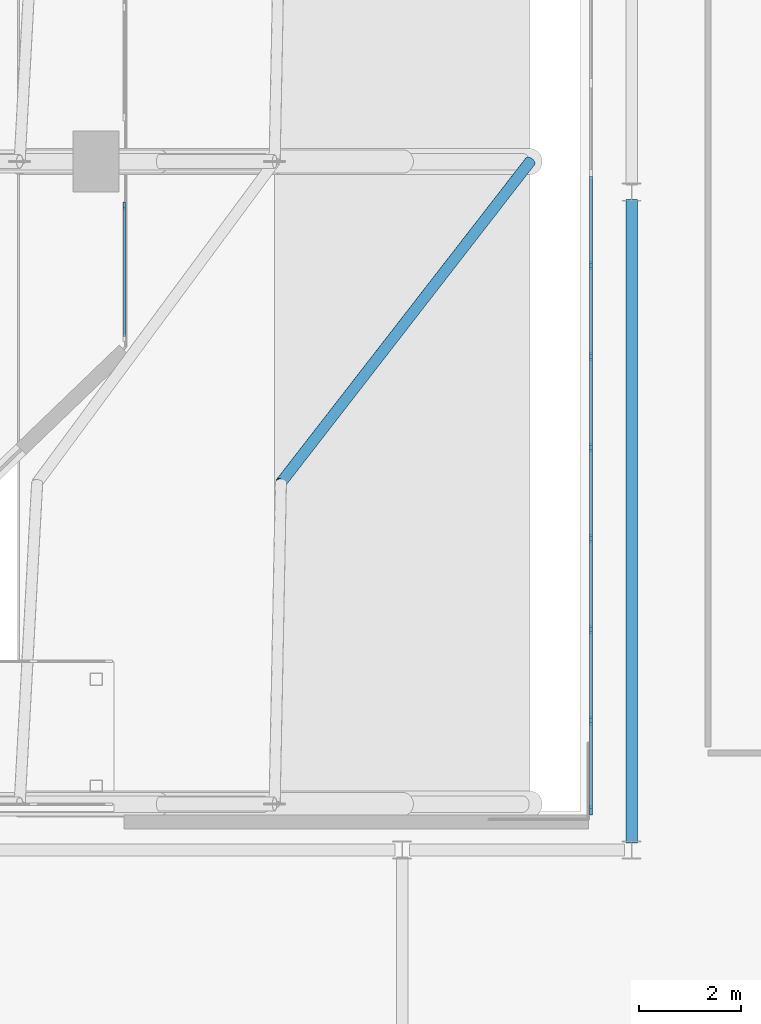
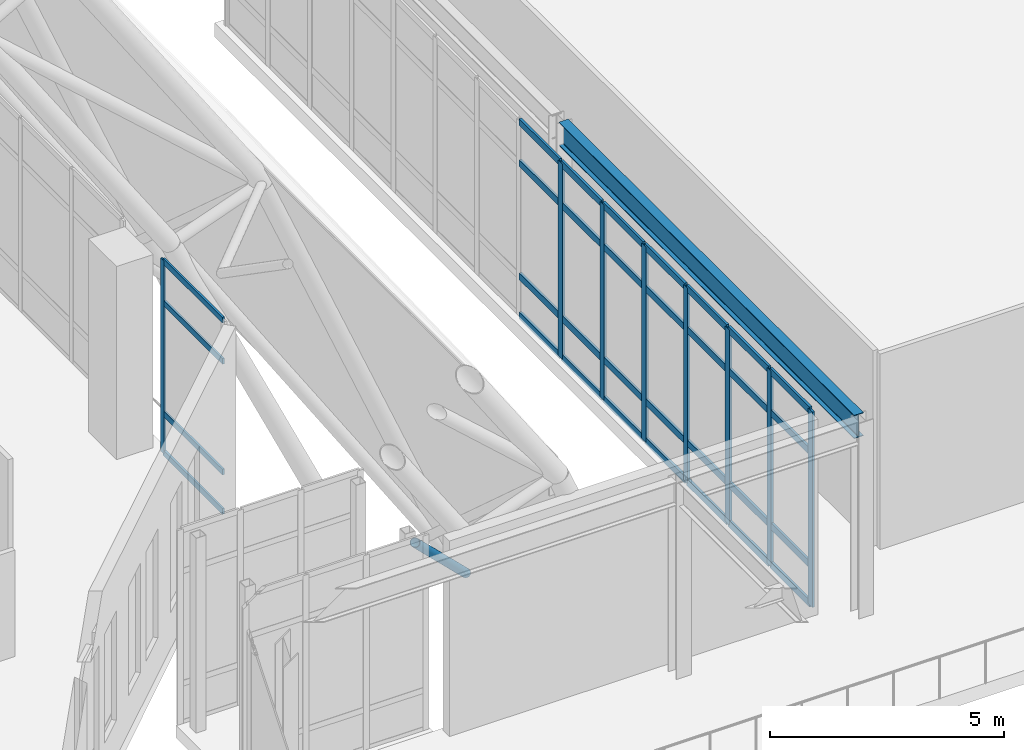
# One storey, part 38 of 159: 41 members, 1 beam, 2 elements without a shape of their own.
"""IFC4 building model written with IfcOpenShell, lengths in metres."""

from ifc_helpers import new_model, si_unit, derived_unit, direction, frame, origin, origin_2d, place, context, subcontext, project, spatial, rectangle, hollow_circle, i_section, extrude, material, layer, layer_set, material_profile, profile_set, type_object, element, aggregate, save


model = new_model("IFC4")

# Units and contexts
model_context = context("Model", 3, precision=1e-05, world=origin(), true_north=direction((0.0, 1.0)))
body_context = subcontext(model_context, "Body", "Model", "MODEL_VIEW")
ifc_project = project(units=[si_unit("LENGTHUNIT", "METRE"), si_unit("AREAUNIT", "SQUARE_METRE"), si_unit("VOLUMEUNIT", "CUBIC_METRE"), si_unit("PLANEANGLEUNIT", "RADIAN"), si_unit("MASSUNIT", "GRAM", prefix="KILO"), derived_unit("THERMALTRANSMITTANCEUNIT", [(si_unit("MASSUNIT", "GRAM", prefix="KILO"), 1), (si_unit("TIMEUNIT", "SECOND"), -3), (si_unit("THERMODYNAMICTEMPERATUREUNIT", "KELVIN"), -1)])], contexts=[model_context])

# Site, building, storey
site_placement = place(None, origin())
site = spatial("IfcSite", under=ifc_project, at=site_placement, CompositionType="ELEMENT")
building_placement = place(site_placement, origin())
building = spatial("IfcBuilding", under=site, at=building_placement, Name="Valcora Ridge Arena", CompositionType="ELEMENT")
storey_placement = place(building_placement, frame((0.0, 0.0, 6.0)))
storey = spatial("IfcBuildingStorey", under=building, at=storey_placement, Name="L01", CompositionType="ELEMENT", Elevation=6.0)

# Beam
ifc_material_1 = material(Name="Steel ASTM A572 Grade 50", Category="steel")
ifc_material_profile_1 = material_profile(ifc_material_1, i_section(OverallWidth=0.22900390625, OverallDepth=0.612060546875, WebThickness=0.011962890625, FlangeThickness=0.01953125, FilletRadius=0.01806640625, at=origin_2d()), Name="W24X84")
ifc_profile_set_1 = profile_set([ifc_material_profile_1], Name="Steel ASTM A572 Grade 50")
beam_type = type_object("IfcBeamType", Name="TY-BEAM-G-W24X84-Y", PredefinedType="BEAM", material=ifc_profile_set_1)
beam_placement = place(storey_placement, frame((113.0, 19.239990234375, 4.7939453125), z_axis=(0.0, 1.0, 0.0), x_axis=(-1.0, 0.0, 0.0)))
element("IfcBeam", 1, at=beam_placement, inside=storey, type_object=beam_type, Name="G-W24X84-Y BEM-G-W24X84-Y-0013", PredefinedType="BEAM", context=body_context, shape_type="SweptSolid", body=[
    extrude(i_section(OverallWidth=0.22900390625, OverallDepth=0.612060546875, WebThickness=0.011962890625, FlangeThickness=0.01953125, FilletRadius=0.01806640625, at=origin_2d()), origin(), (0.0, 0.0, 1.0), 12.6201171875),
])

# Curtain wall, member
ifc_material_2 = material(Name="Anodised dark bronze architectural aluminium 6063-T6", Category="aluminium")
ifc_layer_1 = layer(ifc_material_2, 0.14990234375, Name="Anodised dark bronze architectural aluminium 6063-T6")
ifc_layer_set_1 = layer_set([ifc_layer_1], Name="Anodised dark bronze architectural aluminium 6063-T6")
curtain_wall_type_1 = type_object("IfcCurtainWallType", Name="TY-CURTAINWALL-CW-V1-EAST-026X50", PredefinedType="NOTDEFINED", material=ifc_layer_set_1)
curtain_wall_1_placement = place(storey_placement, origin())
curtain_wall_1 = element("IfcCurtainWall", 2, at=curtain_wall_1_placement, inside=storey, type_object=curtain_wall_type_1, Name="CW-V1-EAST-026X50 CW-0106", PredefinedType="NOTDEFINED")
ifc_material_profile_2 = material_profile(ifc_material_2, rectangle(XDim=0.050048828125, YDim=0.14990234375, at=origin_2d()), Name="ALU MULLION 50x150")
ifc_profile_set_2 = profile_set([ifc_material_profile_2], Name="Anodised dark bronze architectural aluminium 6063-T6")
member_type_1 = type_object("IfcMemberType", Name="TY-MEM-CWM-50x150", PredefinedType="MULLION", material=ifc_profile_set_2)
member_1_placement = place(storey_placement, frame((103.050048828125, 31.735107421875, 0.0), z_axis=(0.0, 0.0, 1.0), x_axis=(-1.0, 0.0, 0.0)))
member_1 = element("IfcMember", 3, at=member_1_placement, type_object=member_type_1, Name="CW-0106/CWM-50x150/M01", PredefinedType="MULLION", context=body_context, shape_type="SweptSolid", body=[
    extrude(rectangle(XDim=0.050048828125, YDim=0.14990234375, at=origin_2d()), origin(), (0.0, 0.0, 1.0), 5.0400390625),
])

# Curtain wall, members
ifc_layer_2 = layer(ifc_material_2, 0.179931640625, Name="Anodised dark bronze architectural aluminium 6063-T6")
ifc_layer_set_2 = layer_set([ifc_layer_2], Name="Anodised dark bronze architectural aluminium 6063-T6")
curtain_wall_type_2 = type_object("IfcCurtainWallType", Name="TY-CURTAINWALL-CW-V3-LANCET-250X51", PredefinedType="NOTDEFINED", material=ifc_layer_set_2)
curtain_wall_2_placement = place(storey_placement, origin())
curtain_wall_2 = element("IfcCurtainWall", 4, at=curtain_wall_2_placement, inside=storey, type_object=curtain_wall_type_2, Name="CW-V3-LANCET-250X51 CW-0018", PredefinedType="NOTDEFINED")
ifc_material_profile_3 = material_profile(ifc_material_2, rectangle(XDim=0.06005859375, YDim=0.179931640625, at=origin_2d()), Name="ALU MULLION 60x180")
ifc_profile_set_3 = profile_set([ifc_material_profile_3], Name="Anodised dark bronze architectural aluminium 6063-T6")
member_type_2 = type_object("IfcMemberType", Name="TY-MEM-CWM-60x180", PredefinedType="MULLION", material=ifc_profile_set_3)
member_2_placement = place(storey_placement, frame((112.199951171875, 19.8798828125, 0.0), z_axis=(0.0, 0.0, 1.0), x_axis=(-1.0, 0.0, 0.0)))
member_2 = element("IfcMember", 5, at=member_2_placement, type_object=member_type_2, Name="CW-0018/CWM-60x180/M00", PredefinedType="MULLION", context=body_context, shape_type="SweptSolid", body=[
    extrude(rectangle(XDim=0.06005859375, YDim=0.179931640625, at=origin_2d()), origin(), (0.0, 0.0, 1.0), 5.10009765625),
])
member_3_placement = place(storey_placement, frame((112.199951171875, 21.6357421875, 0.0), z_axis=(0.0, 0.0, 1.0), x_axis=(-1.0, 0.0, 0.0)))
member_3 = element("IfcMember", 6, at=member_3_placement, type_object=member_type_2, Name="CW-0018/CWM-60x180/M01", PredefinedType="MULLION", context=body_context, shape_type="SweptSolid", body=[
    extrude(rectangle(XDim=0.06005859375, YDim=0.179931640625, at=origin_2d()), origin(), (0.0, 0.0, 1.0), 5.10009765625),
])
member_4_placement = place(storey_placement, frame((112.199951171875, 23.42138671875, 0.0), z_axis=(0.0, 0.0, 1.0), x_axis=(-1.0, 0.0, 0.0)))
member_4 = element("IfcMember", 7, at=member_4_placement, type_object=member_type_2, Name="CW-0018/CWM-60x180/M02", PredefinedType="MULLION", context=body_context, shape_type="SweptSolid", body=[
    extrude(rectangle(XDim=0.06005859375, YDim=0.179931640625, at=origin_2d()), origin(), (0.0, 0.0, 1.0), 5.10009765625),
])
member_5_placement = place(storey_placement, frame((112.199951171875, 25.20703125, 0.0), z_axis=(0.0, 0.0, 1.0), x_axis=(-1.0, 0.0, 0.0)))
member_5 = element("IfcMember", 8, at=member_5_placement, type_object=member_type_2, Name="CW-0018/CWM-60x180/M03", PredefinedType="MULLION", context=body_context, shape_type="SweptSolid", body=[
    extrude(rectangle(XDim=0.06005859375, YDim=0.179931640625, at=origin_2d()), origin(), (0.0, 0.0, 1.0), 5.10009765625),
])
member_6_placement = place(storey_placement, frame((112.199951171875, 26.992919921875, 0.0), z_axis=(0.0, 0.0, 1.0), x_axis=(-1.0, 0.0, 0.0)))
member_6 = element("IfcMember", 9, at=member_6_placement, type_object=member_type_2, Name="CW-0018/CWM-60x180/M04", PredefinedType="MULLION", context=body_context, shape_type="SweptSolid", body=[
    extrude(rectangle(XDim=0.06005859375, YDim=0.179931640625, at=origin_2d()), origin(), (0.0, 0.0, 1.0), 5.10009765625),
])
member_7_placement = place(storey_placement, frame((112.199951171875, 28.778564453125, 0.0), z_axis=(0.0, 0.0, 1.0), x_axis=(-1.0, 0.0, 0.0)))
member_7 = element("IfcMember", 10, at=member_7_placement, type_object=member_type_2, Name="CW-0018/CWM-60x180/M05", PredefinedType="MULLION", context=body_context, shape_type="SweptSolid", body=[
    extrude(rectangle(XDim=0.06005859375, YDim=0.179931640625, at=origin_2d()), origin(), (0.0, 0.0, 1.0), 5.10009765625),
])
member_8_placement = place(storey_placement, frame((112.199951171875, 30.564208984375, 0.0), z_axis=(0.0, 0.0, 1.0), x_axis=(-1.0, 0.0, 0.0)))
member_8 = element("IfcMember", 11, at=member_8_placement, type_object=member_type_2, Name="CW-0018/CWM-60x180/M06", PredefinedType="MULLION", context=body_context, shape_type="SweptSolid", body=[
    extrude(rectangle(XDim=0.06005859375, YDim=0.179931640625, at=origin_2d()), origin(), (0.0, 0.0, 1.0), 5.10009765625),
])

# Member
ifc_material_profile_4 = material_profile(ifc_material_2, rectangle(XDim=0.050048828125, YDim=0.14990234375, at=origin_2d()), Name="ALU TRANSOM 50x150")
ifc_profile_set_4 = profile_set([ifc_material_profile_4], Name="Anodised dark bronze architectural aluminium 6063-T6")
member_type_3 = type_object("IfcMemberType", Name="TY-MEM-CWT-50x150", PredefinedType="USERDEFINED", material=ifc_profile_set_4)
member_9_placement = place(storey_placement, frame((103.050048828125, 29.1669921875, 0.02490234375), z_axis=(0.0, 1.0, 0.0), x_axis=(-1.0, 0.0, 0.0)))
member_9 = element("IfcMember", 12, at=member_9_placement, type_object=member_type_3, Name="CW-0106/CWT-50x150/T00-00", ObjectType="TRANSOM", PredefinedType="USERDEFINED", context=body_context, shape_type="SweptSolid", body=[
    extrude(rectangle(XDim=0.050048828125, YDim=0.14990234375, at=origin_2d()), origin(), (0.0, 0.0, 1.0), 2.54296875),
])

member_10_placement = place(storey_placement, frame((103.050048828125, 29.1669921875, 1.050048828125), z_axis=(0.0, 1.0, 0.0), x_axis=(-1.0, 0.0, 0.0)))
member_10 = element("IfcMember", 13, at=member_10_placement, type_object=member_type_3, Name="CW-0106/CWT-50x150/T00-01", ObjectType="TRANSOM", PredefinedType="USERDEFINED", context=body_context, shape_type="SweptSolid", body=[
    extrude(rectangle(XDim=0.050048828125, YDim=0.14990234375, at=origin_2d()), origin(), (0.0, 0.0, 1.0), 2.54296875),
])

member_11_placement = place(storey_placement, frame((103.050048828125, 29.1669921875, 3.93994140625), z_axis=(0.0, 1.0, 0.0), x_axis=(-1.0, 0.0, 0.0)))
member_11 = element("IfcMember", 14, at=member_11_placement, type_object=member_type_3, Name="CW-0106/CWT-50x150/T00-02", ObjectType="TRANSOM", PredefinedType="USERDEFINED", context=body_context, shape_type="SweptSolid", body=[
    extrude(rectangle(XDim=0.050048828125, YDim=0.14990234375, at=origin_2d()), origin(), (0.0, 0.0, 1.0), 2.54296875),
])

member_12_placement = place(storey_placement, frame((103.050048828125, 29.1669921875, 5.014892578125), z_axis=(0.0, 1.0, 0.0), x_axis=(-1.0, 0.0, 0.0)))
member_12 = element("IfcMember", 15, at=member_12_placement, type_object=member_type_3, Name="CW-0106/CWT-50x150/T00-03", ObjectType="TRANSOM", PredefinedType="USERDEFINED", context=body_context, shape_type="SweptSolid", body=[
    extrude(rectangle(XDim=0.050048828125, YDim=0.14990234375, at=origin_2d()), origin(), (0.0, 0.0, 1.0), 2.54296875),
])

aggregate(curtain_wall_1, [member_1, member_9, member_10, member_11, member_12])

ifc_material_profile_5 = material_profile(ifc_material_2, rectangle(XDim=0.06005859375, YDim=0.179931640625, at=origin_2d()), Name="ALU TRANSOM 60x180")
ifc_profile_set_5 = profile_set([ifc_material_profile_5], Name="Anodised dark bronze architectural aluminium 6063-T6")
member_type_4 = type_object("IfcMemberType", Name="TY-MEM-CWT-60x180", PredefinedType="USERDEFINED", material=ifc_profile_set_5)
member_13_placement = place(storey_placement, frame((112.199951171875, 19.909912109375, 0.030029296875), z_axis=(0.0, 1.0, 0.0), x_axis=(-1.0, 0.0, 0.0)))
member_13 = element("IfcMember", 16, at=member_13_placement, type_object=member_type_4, Name="CW-0018/CWT-60x180/T00-00", ObjectType="TRANSOM", PredefinedType="USERDEFINED", context=body_context, shape_type="SweptSolid", body=[
    extrude(rectangle(XDim=0.06005859375, YDim=0.179931640625, at=origin_2d()), origin(), (0.0, 0.0, 1.0), 1.696044921875),
])

member_14_placement = place(storey_placement, frame((112.199951171875, 19.909912109375, 1.050048828125), z_axis=(0.0, 1.0, 0.0), x_axis=(-1.0, 0.0, 0.0)))
member_14 = element("IfcMember", 17, at=member_14_placement, type_object=member_type_4, Name="CW-0018/CWT-60x180/T00-01", ObjectType="TRANSOM", PredefinedType="USERDEFINED", context=body_context, shape_type="SweptSolid", body=[
    extrude(rectangle(XDim=0.06005859375, YDim=0.179931640625, at=origin_2d()), origin(), (0.0, 0.0, 1.0), 1.696044921875),
])

member_15_placement = place(storey_placement, frame((112.199951171875, 19.909912109375, 4.0), z_axis=(0.0, 1.0, 0.0), x_axis=(-1.0, 0.0, 0.0)))
member_15 = element("IfcMember", 18, at=member_15_placement, type_object=member_type_4, Name="CW-0018/CWT-60x180/T00-02", ObjectType="TRANSOM", PredefinedType="USERDEFINED", context=body_context, shape_type="SweptSolid", body=[
    extrude(rectangle(XDim=0.06005859375, YDim=0.179931640625, at=origin_2d()), origin(), (0.0, 0.0, 1.0), 1.696044921875),
])

member_16_placement = place(storey_placement, frame((112.199951171875, 19.909912109375, 5.070068359375), z_axis=(0.0, 1.0, 0.0), x_axis=(-1.0, 0.0, 0.0)))
member_16 = element("IfcMember", 19, at=member_16_placement, type_object=member_type_4, Name="CW-0018/CWT-60x180/T00-03", ObjectType="TRANSOM", PredefinedType="USERDEFINED", context=body_context, shape_type="SweptSolid", body=[
    extrude(rectangle(XDim=0.06005859375, YDim=0.179931640625, at=origin_2d()), origin(), (0.0, 0.0, 1.0), 1.696044921875),
])

member_17_placement = place(storey_placement, frame((112.199951171875, 21.666015625, 0.030029296875), z_axis=(0.0, 1.0, 0.0), x_axis=(-1.0, 0.0, 0.0)))
member_17 = element("IfcMember", 20, at=member_17_placement, type_object=member_type_4, Name="CW-0018/CWT-60x180/T01-00", ObjectType="TRANSOM", PredefinedType="USERDEFINED", context=body_context, shape_type="SweptSolid", body=[
    extrude(rectangle(XDim=0.06005859375, YDim=0.179931640625, at=origin_2d()), origin(), (0.0, 0.0, 1.0), 1.72509765625),
])

member_18_placement = place(storey_placement, frame((112.199951171875, 21.666015625, 1.050048828125), z_axis=(0.0, 1.0, 0.0), x_axis=(-1.0, 0.0, 0.0)))
member_18 = element("IfcMember", 21, at=member_18_placement, type_object=member_type_4, Name="CW-0018/CWT-60x180/T01-01", ObjectType="TRANSOM", PredefinedType="USERDEFINED", context=body_context, shape_type="SweptSolid", body=[
    extrude(rectangle(XDim=0.06005859375, YDim=0.179931640625, at=origin_2d()), origin(), (0.0, 0.0, 1.0), 1.72509765625),
])

member_19_placement = place(storey_placement, frame((112.199951171875, 21.666015625, 4.0), z_axis=(0.0, 1.0, 0.0), x_axis=(-1.0, 0.0, 0.0)))
member_19 = element("IfcMember", 22, at=member_19_placement, type_object=member_type_4, Name="CW-0018/CWT-60x180/T01-02", ObjectType="TRANSOM", PredefinedType="USERDEFINED", context=body_context, shape_type="SweptSolid", body=[
    extrude(rectangle(XDim=0.06005859375, YDim=0.179931640625, at=origin_2d()), origin(), (0.0, 0.0, 1.0), 1.72509765625),
])

member_20_placement = place(storey_placement, frame((112.199951171875, 21.666015625, 5.070068359375), z_axis=(0.0, 1.0, 0.0), x_axis=(-1.0, 0.0, 0.0)))
member_20 = element("IfcMember", 23, at=member_20_placement, type_object=member_type_4, Name="CW-0018/CWT-60x180/T01-03", ObjectType="TRANSOM", PredefinedType="USERDEFINED", context=body_context, shape_type="SweptSolid", body=[
    extrude(rectangle(XDim=0.06005859375, YDim=0.179931640625, at=origin_2d()), origin(), (0.0, 0.0, 1.0), 1.72509765625),
])

member_21_placement = place(storey_placement, frame((112.199951171875, 23.450927734375, 0.030029296875), z_axis=(0.0, 1.0, 0.0), x_axis=(-1.0, 0.0, 0.0)))
member_21 = element("IfcMember", 24, at=member_21_placement, type_object=member_type_4, Name="CW-0018/CWT-60x180/T02-00", ObjectType="TRANSOM", PredefinedType="USERDEFINED", context=body_context, shape_type="SweptSolid", body=[
    extrude(rectangle(XDim=0.06005859375, YDim=0.179931640625, at=origin_2d()), origin(), (0.0, 0.0, 1.0), 1.72607421875),
])

member_22_placement = place(storey_placement, frame((112.199951171875, 23.450927734375, 1.050048828125), z_axis=(0.0, 1.0, 0.0), x_axis=(-1.0, 0.0, 0.0)))
member_22 = element("IfcMember", 25, at=member_22_placement, type_object=member_type_4, Name="CW-0018/CWT-60x180/T02-01", ObjectType="TRANSOM", PredefinedType="USERDEFINED", context=body_context, shape_type="SweptSolid", body=[
    extrude(rectangle(XDim=0.06005859375, YDim=0.179931640625, at=origin_2d()), origin(), (0.0, 0.0, 1.0), 1.72607421875),
])

member_23_placement = place(storey_placement, frame((112.199951171875, 23.450927734375, 4.0), z_axis=(0.0, 1.0, 0.0), x_axis=(-1.0, 0.0, 0.0)))
member_23 = element("IfcMember", 26, at=member_23_placement, type_object=member_type_4, Name="CW-0018/CWT-60x180/T02-02", ObjectType="TRANSOM", PredefinedType="USERDEFINED", context=body_context, shape_type="SweptSolid", body=[
    extrude(rectangle(XDim=0.06005859375, YDim=0.179931640625, at=origin_2d()), origin(), (0.0, 0.0, 1.0), 1.72607421875),
])

member_24_placement = place(storey_placement, frame((112.199951171875, 23.450927734375, 5.070068359375), z_axis=(0.0, 1.0, 0.0), x_axis=(-1.0, 0.0, 0.0)))
member_24 = element("IfcMember", 27, at=member_24_placement, type_object=member_type_4, Name="CW-0018/CWT-60x180/T02-03", ObjectType="TRANSOM", PredefinedType="USERDEFINED", context=body_context, shape_type="SweptSolid", body=[
    extrude(rectangle(XDim=0.06005859375, YDim=0.179931640625, at=origin_2d()), origin(), (0.0, 0.0, 1.0), 1.72607421875),
])

member_25_placement = place(storey_placement, frame((112.199951171875, 25.237060546875, 0.030029296875), z_axis=(0.0, 1.0, 0.0), x_axis=(-1.0, 0.0, 0.0)))
member_25 = element("IfcMember", 28, at=member_25_placement, type_object=member_type_4, Name="CW-0018/CWT-60x180/T03-00", ObjectType="TRANSOM", PredefinedType="USERDEFINED", context=body_context, shape_type="SweptSolid", body=[
    extrude(rectangle(XDim=0.06005859375, YDim=0.179931640625, at=origin_2d()), origin(), (0.0, 0.0, 1.0), 1.725830078125),
])

member_26_placement = place(storey_placement, frame((112.199951171875, 25.237060546875, 1.050048828125), z_axis=(0.0, 1.0, 0.0), x_axis=(-1.0, 0.0, 0.0)))
member_26 = element("IfcMember", 29, at=member_26_placement, type_object=member_type_4, Name="CW-0018/CWT-60x180/T03-01", ObjectType="TRANSOM", PredefinedType="USERDEFINED", context=body_context, shape_type="SweptSolid", body=[
    extrude(rectangle(XDim=0.06005859375, YDim=0.179931640625, at=origin_2d()), origin(), (0.0, 0.0, 1.0), 1.725830078125),
])

member_27_placement = place(storey_placement, frame((112.199951171875, 25.237060546875, 4.0), z_axis=(0.0, 1.0, 0.0), x_axis=(-1.0, 0.0, 0.0)))
member_27 = element("IfcMember", 30, at=member_27_placement, type_object=member_type_4, Name="CW-0018/CWT-60x180/T03-02", ObjectType="TRANSOM", PredefinedType="USERDEFINED", context=body_context, shape_type="SweptSolid", body=[
    extrude(rectangle(XDim=0.06005859375, YDim=0.179931640625, at=origin_2d()), origin(), (0.0, 0.0, 1.0), 1.725830078125),
])

member_28_placement = place(storey_placement, frame((112.199951171875, 25.237060546875, 5.070068359375), z_axis=(0.0, 1.0, 0.0), x_axis=(-1.0, 0.0, 0.0)))
member_28 = element("IfcMember", 31, at=member_28_placement, type_object=member_type_4, Name="CW-0018/CWT-60x180/T03-03", ObjectType="TRANSOM", PredefinedType="USERDEFINED", context=body_context, shape_type="SweptSolid", body=[
    extrude(rectangle(XDim=0.06005859375, YDim=0.179931640625, at=origin_2d()), origin(), (0.0, 0.0, 1.0), 1.725830078125),
])

member_29_placement = place(storey_placement, frame((112.199951171875, 27.02294921875, 0.030029296875), z_axis=(0.0, 1.0, 0.0), x_axis=(-1.0, 0.0, 0.0)))
member_29 = element("IfcMember", 32, at=member_29_placement, type_object=member_type_4, Name="CW-0018/CWT-60x180/T04-00", ObjectType="TRANSOM", PredefinedType="USERDEFINED", context=body_context, shape_type="SweptSolid", body=[
    extrude(rectangle(XDim=0.06005859375, YDim=0.179931640625, at=origin_2d()), origin(), (0.0, 0.0, 1.0), 1.72607421875),
])

member_30_placement = place(storey_placement, frame((112.199951171875, 27.02294921875, 1.050048828125), z_axis=(0.0, 1.0, 0.0), x_axis=(-1.0, 0.0, 0.0)))
member_30 = element("IfcMember", 33, at=member_30_placement, type_object=member_type_4, Name="CW-0018/CWT-60x180/T04-01", ObjectType="TRANSOM", PredefinedType="USERDEFINED", context=body_context, shape_type="SweptSolid", body=[
    extrude(rectangle(XDim=0.06005859375, YDim=0.179931640625, at=origin_2d()), origin(), (0.0, 0.0, 1.0), 1.72607421875),
])

member_31_placement = place(storey_placement, frame((112.199951171875, 27.02294921875, 4.0), z_axis=(0.0, 1.0, 0.0), x_axis=(-1.0, 0.0, 0.0)))
member_31 = element("IfcMember", 34, at=member_31_placement, type_object=member_type_4, Name="CW-0018/CWT-60x180/T04-02", ObjectType="TRANSOM", PredefinedType="USERDEFINED", context=body_context, shape_type="SweptSolid", body=[
    extrude(rectangle(XDim=0.06005859375, YDim=0.179931640625, at=origin_2d()), origin(), (0.0, 0.0, 1.0), 1.72607421875),
])

member_32_placement = place(storey_placement, frame((112.199951171875, 27.02294921875, 5.070068359375), z_axis=(0.0, 1.0, 0.0), x_axis=(-1.0, 0.0, 0.0)))
member_32 = element("IfcMember", 35, at=member_32_placement, type_object=member_type_4, Name="CW-0018/CWT-60x180/T04-03", ObjectType="TRANSOM", PredefinedType="USERDEFINED", context=body_context, shape_type="SweptSolid", body=[
    extrude(rectangle(XDim=0.06005859375, YDim=0.179931640625, at=origin_2d()), origin(), (0.0, 0.0, 1.0), 1.72607421875),
])

member_33_placement = place(storey_placement, frame((112.199951171875, 28.80908203125, 0.030029296875), z_axis=(0.0, 1.0, 0.0), x_axis=(-1.0, 0.0, 0.0)))
member_33 = element("IfcMember", 36, at=member_33_placement, type_object=member_type_4, Name="CW-0018/CWT-60x180/T05-00", ObjectType="TRANSOM", PredefinedType="USERDEFINED", context=body_context, shape_type="SweptSolid", body=[
    extrude(rectangle(XDim=0.06005859375, YDim=0.179931640625, at=origin_2d()), origin(), (0.0, 0.0, 1.0), 1.724853515625),
])

member_34_placement = place(storey_placement, frame((112.199951171875, 28.80908203125, 1.050048828125), z_axis=(0.0, 1.0, 0.0), x_axis=(-1.0, 0.0, 0.0)))
member_34 = element("IfcMember", 37, at=member_34_placement, type_object=member_type_4, Name="CW-0018/CWT-60x180/T05-01", ObjectType="TRANSOM", PredefinedType="USERDEFINED", context=body_context, shape_type="SweptSolid", body=[
    extrude(rectangle(XDim=0.06005859375, YDim=0.179931640625, at=origin_2d()), origin(), (0.0, 0.0, 1.0), 1.724853515625),
])

member_35_placement = place(storey_placement, frame((112.199951171875, 28.80908203125, 4.0), z_axis=(0.0, 1.0, 0.0), x_axis=(-1.0, 0.0, 0.0)))
member_35 = element("IfcMember", 38, at=member_35_placement, type_object=member_type_4, Name="CW-0018/CWT-60x180/T05-02", ObjectType="TRANSOM", PredefinedType="USERDEFINED", context=body_context, shape_type="SweptSolid", body=[
    extrude(rectangle(XDim=0.06005859375, YDim=0.179931640625, at=origin_2d()), origin(), (0.0, 0.0, 1.0), 1.724853515625),
])

member_36_placement = place(storey_placement, frame((112.199951171875, 28.80908203125, 5.070068359375), z_axis=(0.0, 1.0, 0.0), x_axis=(-1.0, 0.0, 0.0)))
member_36 = element("IfcMember", 39, at=member_36_placement, type_object=member_type_4, Name="CW-0018/CWT-60x180/T05-03", ObjectType="TRANSOM", PredefinedType="USERDEFINED", context=body_context, shape_type="SweptSolid", body=[
    extrude(rectangle(XDim=0.06005859375, YDim=0.179931640625, at=origin_2d()), origin(), (0.0, 0.0, 1.0), 1.724853515625),
])

member_37_placement = place(storey_placement, frame((112.199951171875, 30.593994140625, 0.030029296875), z_axis=(0.0, 1.0, 0.0), x_axis=(-1.0, 0.0, 0.0)))
member_37 = element("IfcMember", 40, at=member_37_placement, type_object=member_type_4, Name="CW-0018/CWT-60x180/T06-00", ObjectType="TRANSOM", PredefinedType="USERDEFINED", context=body_context, shape_type="SweptSolid", body=[
    extrude(rectangle(XDim=0.06005859375, YDim=0.179931640625, at=origin_2d()), origin(), (0.0, 0.0, 1.0), 1.72607421875),
])

member_38_placement = place(storey_placement, frame((112.199951171875, 30.593994140625, 1.050048828125), z_axis=(0.0, 1.0, 0.0), x_axis=(-1.0, 0.0, 0.0)))
member_38 = element("IfcMember", 41, at=member_38_placement, type_object=member_type_4, Name="CW-0018/CWT-60x180/T06-01", ObjectType="TRANSOM", PredefinedType="USERDEFINED", context=body_context, shape_type="SweptSolid", body=[
    extrude(rectangle(XDim=0.06005859375, YDim=0.179931640625, at=origin_2d()), origin(), (0.0, 0.0, 1.0), 1.72607421875),
])

member_39_placement = place(storey_placement, frame((112.199951171875, 30.593994140625, 4.0), z_axis=(0.0, 1.0, 0.0), x_axis=(-1.0, 0.0, 0.0)))
member_39 = element("IfcMember", 42, at=member_39_placement, type_object=member_type_4, Name="CW-0018/CWT-60x180/T06-02", ObjectType="TRANSOM", PredefinedType="USERDEFINED", context=body_context, shape_type="SweptSolid", body=[
    extrude(rectangle(XDim=0.06005859375, YDim=0.179931640625, at=origin_2d()), origin(), (0.0, 0.0, 1.0), 1.72607421875),
])

member_40_placement = place(storey_placement, frame((112.199951171875, 30.593994140625, 5.070068359375), z_axis=(0.0, 1.0, 0.0), x_axis=(-1.0, 0.0, 0.0)))
member_40 = element("IfcMember", 43, at=member_40_placement, type_object=member_type_4, Name="CW-0018/CWT-60x180/T06-03", ObjectType="TRANSOM", PredefinedType="USERDEFINED", context=body_context, shape_type="SweptSolid", body=[
    extrude(rectangle(XDim=0.06005859375, YDim=0.179931640625, at=origin_2d()), origin(), (0.0, 0.0, 1.0), 1.72607421875),
])

aggregate(curtain_wall_2, [member_2, member_3, member_4, member_5, member_6, member_7, member_8, member_13, member_14, member_15, member_16, member_17, member_18, member_19, member_20, member_21, member_22, member_23, member_24, member_25, member_26, member_27, member_28, member_29, member_30, member_31, member_32, member_33, member_34, member_35, member_36, member_37, member_38, member_39, member_40])

ifc_material_3 = material(Name="Steel ASTM A500 Grade C", Category="steel")
ifc_material_profile_6 = material_profile(ifc_material_3, hollow_circle(Radius=0.109619140625, WallThickness=0.010009765625, at=origin_2d()), Name="CHS219X10")
ifc_profile_set_6 = profile_set([ifc_material_profile_6], Name="Steel ASTM A500 Grade C")
member_type_5 = type_object("IfcMemberType", Name="TY-MEMBER-SFST-219", PredefinedType="STRUT", material=ifc_profile_set_6)
member_41_placement = place(storey_placement, frame((106.122314453125, 26.300048828125, -0.131103515625), z_axis=(0.480415634136, 0.619237034909, -0.621084787348), x_axis=(-0.790101773221, 0.612975683003, 0.0)))
element("IfcMember", 44, at=member_41_placement, inside=storey, type_object=member_type_5, Name="SFST-219 Space Frame Tie Strut", PredefinedType="STRUT", context=body_context, shape_type="SweptSolid", body=[
    extrude(hollow_circle(Radius=0.109619140625, WallThickness=0.010009765625, at=origin_2d()), origin(), (0.0, 0.0, 1.0), 10.173828125),
])

save(model, "model.ifc")
